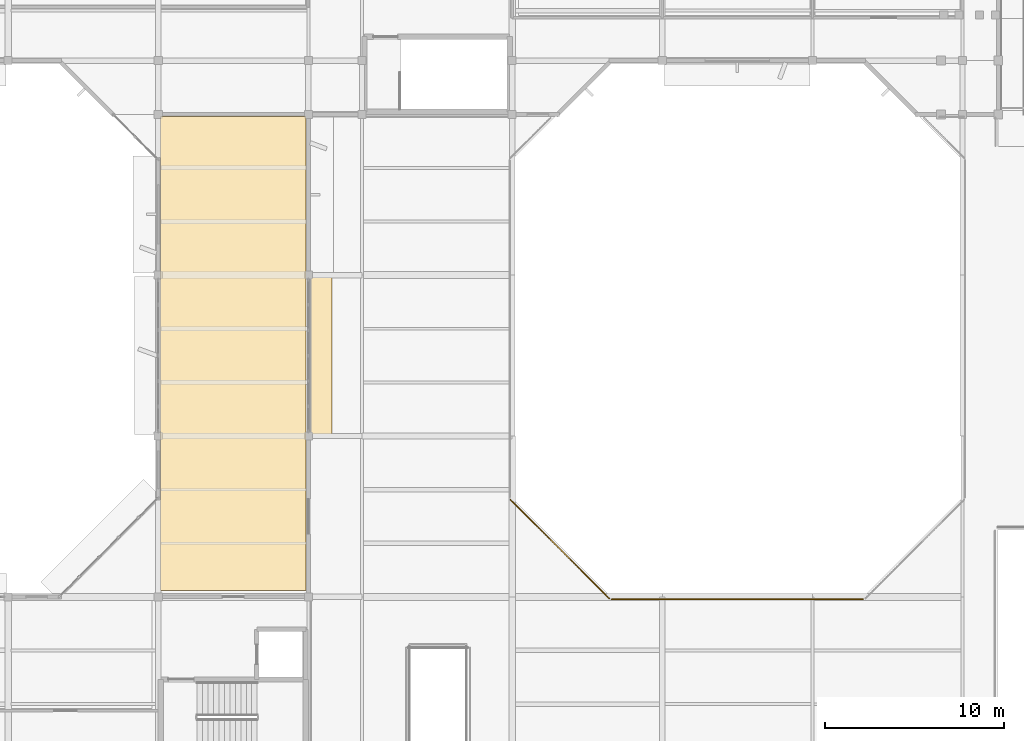
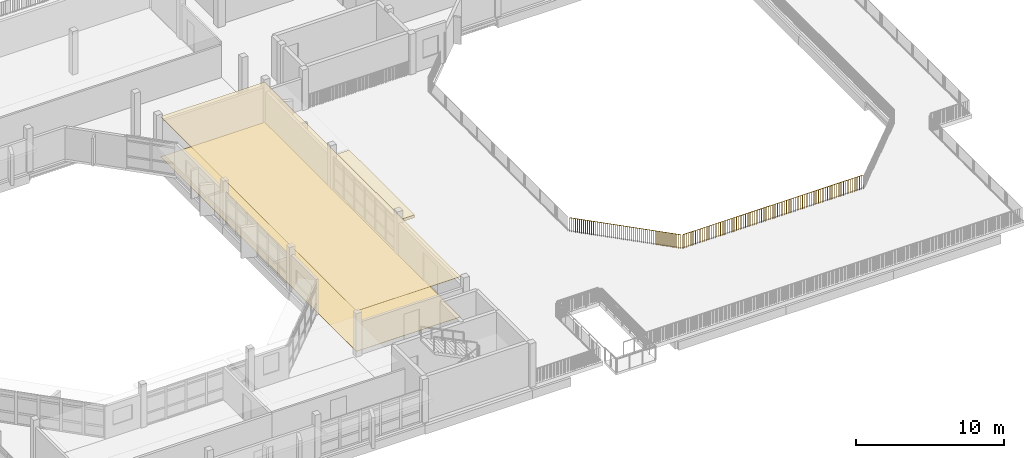
# One storey, part 32 of 42: 3 coverings, 2 railings.
"""IFC4 building model written with IfcOpenShell, lengths in metres."""

from ifc_helpers import new_model, si_unit, direction, frame, origin, origin_2d, place, context, subcontext, project, spatial, polyline, rectangle, circle, outline, extrude, material, layer, layer_set, type_object, element, save


model = new_model("IFC4")

# Units and contexts
model_context = context("Model", 3, precision=1e-05, world=origin(), true_north=direction((0.0, 1.0)))
body_context = subcontext(model_context, "Body", "Model", "MODEL_VIEW")
ifc_project = project(units=[si_unit("LENGTHUNIT", "METRE"), si_unit("AREAUNIT", "SQUARE_METRE"), si_unit("VOLUMEUNIT", "CUBIC_METRE"), si_unit("PLANEANGLEUNIT", "RADIAN"), si_unit("MASSUNIT", "GRAM", prefix="KILO")], contexts=[model_context])

# Site, building, storey
site_placement = place(None, origin())
site = spatial("IfcSite", under=ifc_project, at=site_placement, CompositionType="ELEMENT")
building_placement = place(site_placement, origin())
building = spatial("IfcBuilding", under=site, at=building_placement, Name="Vanh Quang Courtyard School", CompositionType="ELEMENT")
storey_placement = place(building_placement, frame((0.0, 0.0, 15.0)))
storey = spatial("IfcBuildingStorey", under=building, at=storey_placement, Name="L04", CompositionType="ELEMENT", Elevation=15.0)

# Coverings
ifc_material_1 = material(Name="Perforated mineral-fibre acoustic ceiling board")
ifc_layer_1 = layer(ifc_material_1, 0.02490234375)
ifc_layer_set_1 = layer_set([ifc_layer_1], Name="Perforated mineral-fibre acoustic ceiling board")
covering_type_1 = type_object("IfcCoveringType", Name="COV-CEIL-ACOUSTIC", PredefinedType="CEILING", material=ifc_layer_set_1)
covering_1_placement = place(storey_placement, frame((0.0, 0.0, 3.324951171875)))
element("IfcCovering", 1, at=covering_1_placement, inside=storey, type_object=covering_type_1, Name="Covering CV-CL1 (L04)", PredefinedType="CEILING", context=body_context, shape_type="SweptSolid", body=[
    extrude(outline(polyline([(66.1298828125, 68.260009765625), (66.1298828125, 68.260986328125), (66.130126953125, 68.261962890625), (66.13037109375, 68.262939453125), (66.130859375, 68.263916015625), (66.131103515625, 68.2646484375), (66.131591796875, 68.265625), (66.13232421875, 68.266357421875), (66.1328125, 68.26708984375), (66.1337890625, 68.267578125), (66.134521484375, 68.268310546875), (66.13525390625, 68.268798828125), (66.13623046875, 68.269287109375), (66.13720703125, 68.26953125), (66.137939453125, 68.269775390625), (66.138916015625, 68.27001953125), (66.139892578125, 68.27001953125), (74.260009765625, 68.27001953125), (74.260986328125, 68.27001953125), (74.261962890625, 68.269775390625), (74.262939453125, 68.26953125), (74.263916015625, 68.269287109375), (74.2646484375, 68.268798828125), (74.265625, 68.268310546875), (74.266357421875, 68.267578125), (74.26708984375, 68.26708984375), (74.267578125, 68.266357421875), (74.268310546875, 68.265625), (74.268798828125, 68.2646484375), (74.269287109375, 68.263916015625), (74.26953125, 68.262939453125), (74.269775390625, 68.261962890625), (74.27001953125, 68.260986328125), (74.27001953125, 68.260009765625), (74.27001953125, 41.75), (66.1298828125, 41.75), (66.1298828125, 68.260009765625)])), origin(), (0.0, 0.0, 1.0), 0.025146484375),
])
ifc_material_2 = material(Name="Polished cementitious terrazzo tile", Category="concrete")
ifc_layer_2 = layer(ifc_material_2, 0.02001953125)
ifc_layer_set_2 = layer_set([ifc_layer_2], Name="Polished cementitious terrazzo tile")
covering_type_2 = type_object("IfcCoveringType", Name="COV-FLR-TERRAZZO", PredefinedType="FLOORING", material=ifc_layer_set_2)
covering_2_placement = place(storey_placement, origin())
element("IfcCovering", 2, at=covering_2_placement, inside=storey, type_object=covering_type_2, Name="Covering CV-FL1 (L04)", PredefinedType="FLOORING", context=body_context, shape_type="SweptSolid", body=[
    extrude(outline(polyline([(66.1298828125, 68.260009765625), (66.1298828125, 68.260986328125), (66.130126953125, 68.261962890625), (66.13037109375, 68.262939453125), (66.130859375, 68.263916015625), (66.131103515625, 68.2646484375), (66.131591796875, 68.265625), (66.13232421875, 68.266357421875), (66.1328125, 68.26708984375), (66.1337890625, 68.267578125), (66.134521484375, 68.268310546875), (66.13525390625, 68.268798828125), (66.13623046875, 68.269287109375), (66.13720703125, 68.26953125), (66.137939453125, 68.269775390625), (66.138916015625, 68.27001953125), (66.139892578125, 68.27001953125), (74.260009765625, 68.27001953125), (74.260986328125, 68.27001953125), (74.261962890625, 68.269775390625), (74.262939453125, 68.26953125), (74.263916015625, 68.269287109375), (74.2646484375, 68.268798828125), (74.265625, 68.268310546875), (74.266357421875, 68.267578125), (74.26708984375, 68.26708984375), (74.267578125, 68.266357421875), (74.268310546875, 68.265625), (74.268798828125, 68.2646484375), (74.269287109375, 68.263916015625), (74.26953125, 68.262939453125), (74.269775390625, 68.261962890625), (74.27001953125, 68.260986328125), (74.27001953125, 68.260009765625), (74.27001953125, 41.75), (66.1298828125, 41.75), (66.1298828125, 68.260009765625)])), origin(), (0.0, 0.0, 1.0), 0.02001953125),
])
ifc_material_3 = material(Name="Board-marked precast concrete C40/50", Category="concrete")
ifc_layer_3 = layer(ifc_material_3, 0.239990234375)
ifc_layer_set_3 = layer_set([ifc_layer_3], Name="Board-marked precast concrete C40/50")
covering_type_3 = type_object("IfcCoveringType", Name="COV-HOOD-CONC", PredefinedType="CLADDING", material=ifc_layer_set_3)
covering_3_placement = place(storey_placement, frame((75.02001953125, 54.89990234375, 2.41015625), z_axis=(0.0, 0.0, 1.0), x_axis=(0.0, -1.0, 0.0)))
element("IfcCovering", 3, at=covering_3_placement, inside=storey, type_object=covering_type_3, Name="Covering CH-01 (L04)", PredefinedType="CLADDING", context=body_context, shape_type="SweptSolid", body=[
    extrude(rectangle(XDim=8.833984375, YDim=1.39990234375, at=origin_2d()), origin(), (0.0, 0.0, 1.0), 0.239990234375),
])

# Railings
ifc_material_4 = material(Name="Galvanised painted steel EN 10025-2 S355J2", Category="steel")
railing_type = type_object("IfcRailingType", Name="RAIL-GUARD-1150", PredefinedType="BALUSTRADE", material=ifc_material_4)
railing_1_placement = place(storey_placement, frame((85.715576171875, 46.830322265625, 0.0)))
element("IfcRailing", 4, at=railing_1_placement, inside=storey, type_object=railing_type, Name="Railing GR-01 (L04)", PredefinedType="BALUSTRADE", context=body_context, shape_type="SweptSolid", body=[
    extrude(circle(Radius=0.02392578125, at=origin_2d()), frame((0.0, 0.0, 1.1259765625), z_axis=(0.707122432933, -0.707091129094, 0.0), x_axis=(0.707091129094, 0.707122432933, 0.0)), (0.0, 0.0, 1.0), 7.799072265625),
    extrude(circle(Radius=0.02099609375, at=origin_2d()), origin(), (0.0, 0.0, 1.0), 1.101806640625),
    extrude(circle(Radius=0.02099609375, at=origin_2d()), frame((0.098388671875, -0.098388671875, 0.0)), (0.0, 0.0, 1.0), 1.101806640625),
    extrude(circle(Radius=0.02099609375, at=origin_2d()), frame((0.197021484375, -0.197021484375, 0.0)), (0.0, 0.0, 1.0), 1.101806640625),
    extrude(circle(Radius=0.02099609375, at=origin_2d()), frame((0.29541015625, -0.29541015625, 0.0)), (0.0, 0.0, 1.0), 1.101806640625),
    extrude(circle(Radius=0.02099609375, at=origin_2d()), frame((0.39404296875, -0.393798828125, 0.0)), (0.0, 0.0, 1.0), 1.101806640625),
    extrude(circle(Radius=0.02099609375, at=origin_2d()), frame((0.492431640625, -0.492431640625, 0.0)), (0.0, 0.0, 1.0), 1.101806640625),
    extrude(circle(Radius=0.02099609375, at=origin_2d()), frame((0.5908203125, -0.5908203125, 0.0)), (0.0, 0.0, 1.0), 1.101806640625),
    extrude(circle(Radius=0.02099609375, at=origin_2d()), frame((0.689453125, -0.689453125, 0.0)), (0.0, 0.0, 1.0), 1.101806640625),
    extrude(circle(Radius=0.02099609375, at=origin_2d()), frame((0.787841796875, -0.787841796875, 0.0)), (0.0, 0.0, 1.0), 1.101806640625),
    extrude(circle(Radius=0.02099609375, at=origin_2d()), frame((0.88623046875, -0.88623046875, 0.0)), (0.0, 0.0, 1.0), 1.101806640625),
    extrude(circle(Radius=0.02099609375, at=origin_2d()), frame((0.98486328125, -0.98486328125, 0.0)), (0.0, 0.0, 1.0), 1.101806640625),
    extrude(circle(Radius=0.02099609375, at=origin_2d()), frame((1.083251953125, -1.083251953125, 0.0)), (0.0, 0.0, 1.0), 1.101806640625),
    extrude(circle(Radius=0.02099609375, at=origin_2d()), frame((1.181640625, -1.181640625, 0.0)), (0.0, 0.0, 1.0), 1.101806640625),
    extrude(circle(Radius=0.02099609375, at=origin_2d()), frame((1.2802734375, -1.2802734375, 0.0)), (0.0, 0.0, 1.0), 1.101806640625),
    extrude(circle(Radius=0.02099609375, at=origin_2d()), frame((1.378662109375, -1.378662109375, 0.0)), (0.0, 0.0, 1.0), 1.101806640625),
    extrude(circle(Radius=0.02099609375, at=origin_2d()), frame((1.477294921875, -1.47705078125, 0.0)), (0.0, 0.0, 1.0), 1.101806640625),
    extrude(circle(Radius=0.02099609375, at=origin_2d()), frame((1.57568359375, -1.57568359375, 0.0)), (0.0, 0.0, 1.0), 1.101806640625),
    extrude(circle(Radius=0.02099609375, at=origin_2d()), frame((1.674072265625, -1.674072265625, 0.0)), (0.0, 0.0, 1.0), 1.101806640625),
    extrude(circle(Radius=0.02099609375, at=origin_2d()), frame((1.772705078125, -1.7724609375, 0.0)), (0.0, 0.0, 1.0), 1.101806640625),
    extrude(circle(Radius=0.02099609375, at=origin_2d()), frame((1.87109375, -1.87109375, 0.0)), (0.0, 0.0, 1.0), 1.101806640625),
    extrude(circle(Radius=0.02099609375, at=origin_2d()), frame((1.9697265625, -1.969482421875, 0.0)), (0.0, 0.0, 1.0), 1.101806640625),
    extrude(circle(Radius=0.02099609375, at=origin_2d()), frame((2.068115234375, -2.06787109375, 0.0)), (0.0, 0.0, 1.0), 1.101806640625),
    extrude(circle(Radius=0.02099609375, at=origin_2d()), frame((2.16650390625, -2.16650390625, 0.0)), (0.0, 0.0, 1.0), 1.101806640625),
    extrude(circle(Radius=0.02099609375, at=origin_2d()), frame((2.26513671875, -2.264892578125, 0.0)), (0.0, 0.0, 1.0), 1.101806640625),
    extrude(circle(Radius=0.02099609375, at=origin_2d()), frame((2.363525390625, -2.363525390625, 0.0)), (0.0, 0.0, 1.0), 1.101806640625),
    extrude(circle(Radius=0.02099609375, at=origin_2d()), frame((2.4619140625, -2.4619140625, 0.0)), (0.0, 0.0, 1.0), 1.101806640625),
    extrude(circle(Radius=0.02099609375, at=origin_2d()), frame((2.560546875, -2.560302734375, 0.0)), (0.0, 0.0, 1.0), 1.101806640625),
    extrude(circle(Radius=0.02099609375, at=origin_2d()), frame((2.658935546875, -2.658935546875, 0.0)), (0.0, 0.0, 1.0), 1.101806640625),
    extrude(circle(Radius=0.02099609375, at=origin_2d()), frame((2.75732421875, -2.75732421875, 0.0)), (0.0, 0.0, 1.0), 1.101806640625),
    extrude(circle(Radius=0.02099609375, at=origin_2d()), frame((2.85595703125, -2.855712890625, 0.0)), (0.0, 0.0, 1.0), 1.101806640625),
    extrude(circle(Radius=0.02099609375, at=origin_2d()), frame((2.954345703125, -2.954345703125, 0.0)), (0.0, 0.0, 1.0), 1.101806640625),
    extrude(circle(Radius=0.02099609375, at=origin_2d()), frame((3.052978515625, -3.052734375, 0.0)), (0.0, 0.0, 1.0), 1.101806640625),
    extrude(circle(Radius=0.02099609375, at=origin_2d()), frame((3.1513671875, -3.151123046875, 0.0)), (0.0, 0.0, 1.0), 1.101806640625),
    extrude(circle(Radius=0.02099609375, at=origin_2d()), frame((3.249755859375, -3.249755859375, 0.0)), (0.0, 0.0, 1.0), 1.101806640625),
    extrude(circle(Radius=0.02099609375, at=origin_2d()), frame((3.348388671875, -3.34814453125, 0.0)), (0.0, 0.0, 1.0), 1.101806640625),
    extrude(circle(Radius=0.02099609375, at=origin_2d()), frame((3.44677734375, -3.44677734375, 0.0)), (0.0, 0.0, 1.0), 1.101806640625),
    extrude(circle(Radius=0.02099609375, at=origin_2d()), frame((3.54541015625, -3.545166015625, 0.0)), (0.0, 0.0, 1.0), 1.101806640625),
    extrude(circle(Radius=0.02099609375, at=origin_2d()), frame((3.643798828125, -3.6435546875, 0.0)), (0.0, 0.0, 1.0), 1.101806640625),
    extrude(circle(Radius=0.02099609375, at=origin_2d()), frame((3.7421875, -3.7421875, 0.0)), (0.0, 0.0, 1.0), 1.101806640625),
    extrude(circle(Radius=0.02099609375, at=origin_2d()), frame((3.8408203125, -3.840576171875, 0.0)), (0.0, 0.0, 1.0), 1.101806640625),
    extrude(circle(Radius=0.02099609375, at=origin_2d()), frame((3.939208984375, -3.93896484375, 0.0)), (0.0, 0.0, 1.0), 1.101806640625),
    extrude(circle(Radius=0.02099609375, at=origin_2d()), frame((4.03759765625, -4.03759765625, 0.0)), (0.0, 0.0, 1.0), 1.101806640625),
    extrude(circle(Radius=0.02099609375, at=origin_2d()), frame((4.13623046875, -4.135986328125, 0.0)), (0.0, 0.0, 1.0), 1.101806640625),
    extrude(circle(Radius=0.02099609375, at=origin_2d()), frame((4.234619140625, -4.234375, 0.0)), (0.0, 0.0, 1.0), 1.101806640625),
    extrude(circle(Radius=0.02099609375, at=origin_2d()), frame((4.3330078125, -4.3330078125, 0.0)), (0.0, 0.0, 1.0), 1.101806640625),
    extrude(circle(Radius=0.02099609375, at=origin_2d()), frame((4.431640625, -4.431396484375, 0.0)), (0.0, 0.0, 1.0), 1.101806640625),
    extrude(circle(Radius=0.02099609375, at=origin_2d()), frame((4.530029296875, -4.52978515625, 0.0)), (0.0, 0.0, 1.0), 1.101806640625),
    extrude(circle(Radius=0.02099609375, at=origin_2d()), frame((4.628662109375, -4.62841796875, 0.0)), (0.0, 0.0, 1.0), 1.101806640625),
    extrude(circle(Radius=0.02099609375, at=origin_2d()), frame((4.72705078125, -4.726806640625, 0.0)), (0.0, 0.0, 1.0), 1.101806640625),
    extrude(circle(Radius=0.02099609375, at=origin_2d()), frame((4.825439453125, -4.8251953125, 0.0)), (0.0, 0.0, 1.0), 1.101806640625),
    extrude(circle(Radius=0.02099609375, at=origin_2d()), frame((4.924072265625, -4.923828125, 0.0)), (0.0, 0.0, 1.0), 1.101806640625),
    extrude(circle(Radius=0.02099609375, at=origin_2d()), frame((5.0224609375, -5.022216796875, 0.0)), (0.0, 0.0, 1.0), 1.101806640625),
    extrude(circle(Radius=0.02099609375, at=origin_2d()), frame((5.12109375, -5.120849609375, 0.0)), (0.0, 0.0, 1.0), 1.101806640625),
    extrude(circle(Radius=0.02099609375, at=origin_2d()), frame((5.219482421875, -5.21923828125, 0.0)), (0.0, 0.0, 1.0), 1.101806640625),
    extrude(circle(Radius=0.02099609375, at=origin_2d()), frame((5.31787109375, -5.317626953125, 0.0)), (0.0, 0.0, 1.0), 1.101806640625),
    extrude(circle(Radius=0.02099609375, at=origin_2d()), frame((5.41650390625, -5.416259765625, 0.0)), (0.0, 0.0, 1.0), 1.101806640625),
    extrude(circle(Radius=0.02099609375, at=origin_2d()), frame((5.514892578125, -5.5146484375, 0.0)), (0.0, 0.0, 1.0), 1.101806640625),
])
railing_2_placement = place(storey_placement, frame((91.36474609375, 41.260009765625, 0.0)))
element("IfcRailing", 5, at=railing_2_placement, inside=storey, type_object=railing_type, Name="Railing GR-01 (L04)", PredefinedType="BALUSTRADE", context=body_context, shape_type="SweptSolid", body=[
    extrude(circle(Radius=0.02392578125, at=origin_2d()), frame((0.0, 0.0, 1.1259765625), z_axis=(1.0, 0.0, 0.0), x_axis=(0.0, 1.0, 0.0)), (0.0, 0.0, 1.0), 14.070556640625),
    extrude(circle(Radius=0.02099609375, at=origin_2d()), origin(), (0.0, 0.0, 1.0), 1.101806640625),
    extrude(circle(Radius=0.02099609375, at=origin_2d()), frame((0.139404296875, 0.0, 0.0)), (0.0, 0.0, 1.0), 1.101806640625),
    extrude(circle(Radius=0.02099609375, at=origin_2d()), frame((0.278564453125, 0.0, 0.0)), (0.0, 0.0, 1.0), 1.101806640625),
    extrude(circle(Radius=0.02099609375, at=origin_2d()), frame((0.41796875, 0.0, 0.0)), (0.0, 0.0, 1.0), 1.101806640625),
    extrude(circle(Radius=0.02099609375, at=origin_2d()), frame((0.55712890625, 0.0, 0.0)), (0.0, 0.0, 1.0), 1.101806640625),
    extrude(circle(Radius=0.02099609375, at=origin_2d()), frame((0.696533203125, 0.0, 0.0)), (0.0, 0.0, 1.0), 1.101806640625),
    extrude(circle(Radius=0.02099609375, at=origin_2d()), frame((0.8359375, 0.0, 0.0)), (0.0, 0.0, 1.0), 1.101806640625),
    extrude(circle(Radius=0.02099609375, at=origin_2d()), frame((0.97509765625, 0.0, 0.0)), (0.0, 0.0, 1.0), 1.101806640625),
    extrude(circle(Radius=0.02099609375, at=origin_2d()), frame((1.114501953125, 0.0, 0.0)), (0.0, 0.0, 1.0), 1.101806640625),
    extrude(circle(Radius=0.02099609375, at=origin_2d()), frame((1.25390625, 0.0, 0.0)), (0.0, 0.0, 1.0), 1.101806640625),
    extrude(circle(Radius=0.02099609375, at=origin_2d()), frame((1.39306640625, 0.0, 0.0)), (0.0, 0.0, 1.0), 1.101806640625),
    extrude(circle(Radius=0.02099609375, at=origin_2d()), frame((1.532470703125, 0.0, 0.0)), (0.0, 0.0, 1.0), 1.101806640625),
    extrude(circle(Radius=0.02099609375, at=origin_2d()), frame((1.671630859375, 0.0, 0.0)), (0.0, 0.0, 1.0), 1.101806640625),
    extrude(circle(Radius=0.02099609375, at=origin_2d()), frame((1.81103515625, 0.0, 0.0)), (0.0, 0.0, 1.0), 1.101806640625),
    extrude(circle(Radius=0.02099609375, at=origin_2d()), frame((1.950439453125, 0.0, 0.0)), (0.0, 0.0, 1.0), 1.101806640625),
    extrude(circle(Radius=0.02099609375, at=origin_2d()), frame((2.089599609375, 0.0, 0.0)), (0.0, 0.0, 1.0), 1.101806640625),
    extrude(circle(Radius=0.02099609375, at=origin_2d()), frame((2.22900390625, 0.0, 0.0)), (0.0, 0.0, 1.0), 1.101806640625),
    extrude(circle(Radius=0.02099609375, at=origin_2d()), frame((2.368408203125, 0.0, 0.0)), (0.0, 0.0, 1.0), 1.101806640625),
    extrude(circle(Radius=0.02099609375, at=origin_2d()), frame((2.507568359375, 0.0, 0.0)), (0.0, 0.0, 1.0), 1.101806640625),
    extrude(circle(Radius=0.02099609375, at=origin_2d()), frame((2.64697265625, 0.0, 0.0)), (0.0, 0.0, 1.0), 1.101806640625),
    extrude(circle(Radius=0.02099609375, at=origin_2d()), frame((2.7861328125, 0.0, 0.0)), (0.0, 0.0, 1.0), 1.101806640625),
    extrude(circle(Radius=0.02099609375, at=origin_2d()), frame((2.925537109375, 0.0, 0.0)), (0.0, 0.0, 1.0), 1.101806640625),
    extrude(circle(Radius=0.02099609375, at=origin_2d()), frame((3.06494140625, 0.0, 0.0)), (0.0, 0.0, 1.0), 1.101806640625),
    extrude(circle(Radius=0.02099609375, at=origin_2d()), frame((3.2041015625, 0.0, 0.0)), (0.0, 0.0, 1.0), 1.101806640625),
    extrude(circle(Radius=0.02099609375, at=origin_2d()), frame((3.343505859375, 0.0, 0.0)), (0.0, 0.0, 1.0), 1.101806640625),
    extrude(circle(Radius=0.02099609375, at=origin_2d()), frame((3.48291015625, 0.0, 0.0)), (0.0, 0.0, 1.0), 1.101806640625),
    extrude(circle(Radius=0.02099609375, at=origin_2d()), frame((3.6220703125, 0.0, 0.0)), (0.0, 0.0, 1.0), 1.101806640625),
    extrude(circle(Radius=0.02099609375, at=origin_2d()), frame((3.761474609375, 0.0, 0.0)), (0.0, 0.0, 1.0), 1.101806640625),
    extrude(circle(Radius=0.02099609375, at=origin_2d()), frame((3.900634765625, 0.0, 0.0)), (0.0, 0.0, 1.0), 1.101806640625),
    extrude(circle(Radius=0.02099609375, at=origin_2d()), frame((4.0400390625, 0.0, 0.0)), (0.0, 0.0, 1.0), 1.101806640625),
    extrude(circle(Radius=0.02099609375, at=origin_2d()), frame((4.179443359375, 0.0, 0.0)), (0.0, 0.0, 1.0), 1.101806640625),
    extrude(circle(Radius=0.02099609375, at=origin_2d()), frame((4.318603515625, 0.0, 0.0)), (0.0, 0.0, 1.0), 1.101806640625),
    extrude(circle(Radius=0.02099609375, at=origin_2d()), frame((4.4580078125, 0.0, 0.0)), (0.0, 0.0, 1.0), 1.101806640625),
    extrude(circle(Radius=0.02099609375, at=origin_2d()), frame((4.597412109375, 0.0, 0.0)), (0.0, 0.0, 1.0), 1.101806640625),
    extrude(circle(Radius=0.02099609375, at=origin_2d()), frame((4.736572265625, 0.0, 0.0)), (0.0, 0.0, 1.0), 1.101806640625),
    extrude(circle(Radius=0.02099609375, at=origin_2d()), frame((4.8759765625, 0.0, 0.0)), (0.0, 0.0, 1.0), 1.101806640625),
    extrude(circle(Radius=0.02099609375, at=origin_2d()), frame((5.01513671875, 0.0, 0.0)), (0.0, 0.0, 1.0), 1.101806640625),
    extrude(circle(Radius=0.02099609375, at=origin_2d()), frame((5.154541015625, 0.0, 0.0)), (0.0, 0.0, 1.0), 1.101806640625),
    extrude(circle(Radius=0.02099609375, at=origin_2d()), frame((5.2939453125, 0.0, 0.0)), (0.0, 0.0, 1.0), 1.101806640625),
    extrude(circle(Radius=0.02099609375, at=origin_2d()), frame((5.43310546875, 0.0, 0.0)), (0.0, 0.0, 1.0), 1.101806640625),
    extrude(circle(Radius=0.02099609375, at=origin_2d()), frame((5.572509765625, 0.0, 0.0)), (0.0, 0.0, 1.0), 1.101806640625),
    extrude(circle(Radius=0.02099609375, at=origin_2d()), frame((5.7119140625, 0.0, 0.0)), (0.0, 0.0, 1.0), 1.101806640625),
    extrude(circle(Radius=0.02099609375, at=origin_2d()), frame((5.85107421875, 0.0, 0.0)), (0.0, 0.0, 1.0), 1.101806640625),
    extrude(circle(Radius=0.02099609375, at=origin_2d()), frame((5.990478515625, 0.0, 0.0)), (0.0, 0.0, 1.0), 1.101806640625),
    extrude(circle(Radius=0.02099609375, at=origin_2d()), frame((6.129638671875, 0.0, 0.0)), (0.0, 0.0, 1.0), 1.101806640625),
    extrude(circle(Radius=0.02099609375, at=origin_2d()), frame((6.26904296875, 0.0, 0.0)), (0.0, 0.0, 1.0), 1.101806640625),
    extrude(circle(Radius=0.02099609375, at=origin_2d()), frame((6.408447265625, 0.0, 0.0)), (0.0, 0.0, 1.0), 1.101806640625),
    extrude(circle(Radius=0.02099609375, at=origin_2d()), frame((6.547607421875, 0.0, 0.0)), (0.0, 0.0, 1.0), 1.101806640625),
    extrude(circle(Radius=0.02099609375, at=origin_2d()), frame((6.68701171875, 0.0, 0.0)), (0.0, 0.0, 1.0), 1.101806640625),
    extrude(circle(Radius=0.02099609375, at=origin_2d()), frame((6.826416015625, 0.0, 0.0)), (0.0, 0.0, 1.0), 1.101806640625),
    extrude(circle(Radius=0.02099609375, at=origin_2d()), frame((6.965576171875, 0.0, 0.0)), (0.0, 0.0, 1.0), 1.101806640625),
    extrude(circle(Radius=0.02099609375, at=origin_2d()), frame((7.10498046875, 0.0, 0.0)), (0.0, 0.0, 1.0), 1.101806640625),
    extrude(circle(Radius=0.02099609375, at=origin_2d()), frame((7.244140625, 0.0, 0.0)), (0.0, 0.0, 1.0), 1.101806640625),
    extrude(circle(Radius=0.02099609375, at=origin_2d()), frame((7.383544921875, 0.0, 0.0)), (0.0, 0.0, 1.0), 1.101806640625),
    extrude(circle(Radius=0.02099609375, at=origin_2d()), frame((7.52294921875, 0.0, 0.0)), (0.0, 0.0, 1.0), 1.101806640625),
    extrude(circle(Radius=0.02099609375, at=origin_2d()), frame((7.662109375, 0.0, 0.0)), (0.0, 0.0, 1.0), 1.101806640625),
    extrude(circle(Radius=0.02099609375, at=origin_2d()), frame((7.801513671875, 0.0, 0.0)), (0.0, 0.0, 1.0), 1.101806640625),
    extrude(circle(Radius=0.02099609375, at=origin_2d()), frame((7.94091796875, 0.0, 0.0)), (0.0, 0.0, 1.0), 1.101806640625),
    extrude(circle(Radius=0.02099609375, at=origin_2d()), frame((8.080078125, 0.0, 0.0)), (0.0, 0.0, 1.0), 1.101806640625),
    extrude(circle(Radius=0.02099609375, at=origin_2d()), frame((8.219482421875, 0.0, 0.0)), (0.0, 0.0, 1.0), 1.101806640625),
    extrude(circle(Radius=0.02099609375, at=origin_2d()), frame((8.358642578125, 0.0, 0.0)), (0.0, 0.0, 1.0), 1.101806640625),
    extrude(circle(Radius=0.02099609375, at=origin_2d()), frame((8.498046875, 0.0, 0.0)), (0.0, 0.0, 1.0), 1.101806640625),
    extrude(circle(Radius=0.02099609375, at=origin_2d()), frame((8.637451171875, 0.0, 0.0)), (0.0, 0.0, 1.0), 1.101806640625),
    extrude(circle(Radius=0.02099609375, at=origin_2d()), frame((8.776611328125, 0.0, 0.0)), (0.0, 0.0, 1.0), 1.101806640625),
    extrude(circle(Radius=0.02099609375, at=origin_2d()), frame((8.916015625, 0.0, 0.0)), (0.0, 0.0, 1.0), 1.101806640625),
    extrude(circle(Radius=0.02099609375, at=origin_2d()), frame((9.055419921875, 0.0, 0.0)), (0.0, 0.0, 1.0), 1.101806640625),
    extrude(circle(Radius=0.02099609375, at=origin_2d()), frame((9.194580078125, 0.0, 0.0)), (0.0, 0.0, 1.0), 1.101806640625),
    extrude(circle(Radius=0.02099609375, at=origin_2d()), frame((9.333984375, 0.0, 0.0)), (0.0, 0.0, 1.0), 1.101806640625),
    extrude(circle(Radius=0.02099609375, at=origin_2d()), frame((9.47314453125, 0.0, 0.0)), (0.0, 0.0, 1.0), 1.101806640625),
    extrude(circle(Radius=0.02099609375, at=origin_2d()), frame((9.612548828125, 0.0, 0.0)), (0.0, 0.0, 1.0), 1.101806640625),
    extrude(circle(Radius=0.02099609375, at=origin_2d()), frame((9.751953125, 0.0, 0.0)), (0.0, 0.0, 1.0), 1.101806640625),
    extrude(circle(Radius=0.02099609375, at=origin_2d()), frame((9.89111328125, 0.0, 0.0)), (0.0, 0.0, 1.0), 1.101806640625),
    extrude(circle(Radius=0.02099609375, at=origin_2d()), frame((10.030517578125, 0.0, 0.0)), (0.0, 0.0, 1.0), 1.101806640625),
    extrude(circle(Radius=0.02099609375, at=origin_2d()), frame((10.169921875, 0.0, 0.0)), (0.0, 0.0, 1.0), 1.101806640625),
    extrude(circle(Radius=0.02099609375, at=origin_2d()), frame((10.30908203125, 0.0, 0.0)), (0.0, 0.0, 1.0), 1.101806640625),
    extrude(circle(Radius=0.02099609375, at=origin_2d()), frame((10.448486328125, 0.0, 0.0)), (0.0, 0.0, 1.0), 1.101806640625),
    extrude(circle(Radius=0.02099609375, at=origin_2d()), frame((10.587646484375, 0.0, 0.0)), (0.0, 0.0, 1.0), 1.101806640625),
    extrude(circle(Radius=0.02099609375, at=origin_2d()), frame((10.72705078125, 0.0, 0.0)), (0.0, 0.0, 1.0), 1.101806640625),
    extrude(circle(Radius=0.02099609375, at=origin_2d()), frame((10.866455078125, 0.0, 0.0)), (0.0, 0.0, 1.0), 1.101806640625),
    extrude(circle(Radius=0.02099609375, at=origin_2d()), frame((11.005615234375, 0.0, 0.0)), (0.0, 0.0, 1.0), 1.101806640625),
    extrude(circle(Radius=0.02099609375, at=origin_2d()), frame((11.14501953125, 0.0, 0.0)), (0.0, 0.0, 1.0), 1.101806640625),
    extrude(circle(Radius=0.02099609375, at=origin_2d()), frame((11.284423828125, 0.0, 0.0)), (0.0, 0.0, 1.0), 1.101806640625),
    extrude(circle(Radius=0.02099609375, at=origin_2d()), frame((11.423583984375, 0.0, 0.0)), (0.0, 0.0, 1.0), 1.101806640625),
    extrude(circle(Radius=0.02099609375, at=origin_2d()), frame((11.56298828125, 0.0, 0.0)), (0.0, 0.0, 1.0), 1.101806640625),
    extrude(circle(Radius=0.02099609375, at=origin_2d()), frame((11.7021484375, 0.0, 0.0)), (0.0, 0.0, 1.0), 1.101806640625),
    extrude(circle(Radius=0.02099609375, at=origin_2d()), frame((11.841552734375, 0.0, 0.0)), (0.0, 0.0, 1.0), 1.101806640625),
    extrude(circle(Radius=0.02099609375, at=origin_2d()), frame((11.98095703125, 0.0, 0.0)), (0.0, 0.0, 1.0), 1.101806640625),
    extrude(circle(Radius=0.02099609375, at=origin_2d()), frame((12.1201171875, 0.0, 0.0)), (0.0, 0.0, 1.0), 1.101806640625),
    extrude(circle(Radius=0.02099609375, at=origin_2d()), frame((12.259521484375, 0.0, 0.0)), (0.0, 0.0, 1.0), 1.101806640625),
    extrude(circle(Radius=0.02099609375, at=origin_2d()), frame((12.39892578125, 0.0, 0.0)), (0.0, 0.0, 1.0), 1.101806640625),
    extrude(circle(Radius=0.02099609375, at=origin_2d()), frame((12.5380859375, 0.0, 0.0)), (0.0, 0.0, 1.0), 1.101806640625),
    extrude(circle(Radius=0.02099609375, at=origin_2d()), frame((12.677490234375, 0.0, 0.0)), (0.0, 0.0, 1.0), 1.101806640625),
    extrude(circle(Radius=0.02099609375, at=origin_2d()), frame((12.816650390625, 0.0, 0.0)), (0.0, 0.0, 1.0), 1.101806640625),
    extrude(circle(Radius=0.02099609375, at=origin_2d()), frame((12.9560546875, 0.0, 0.0)), (0.0, 0.0, 1.0), 1.101806640625),
    extrude(circle(Radius=0.02099609375, at=origin_2d()), frame((13.095458984375, 0.0, 0.0)), (0.0, 0.0, 1.0), 1.101806640625),
    extrude(circle(Radius=0.02099609375, at=origin_2d()), frame((13.234619140625, 0.0, 0.0)), (0.0, 0.0, 1.0), 1.101806640625),
    extrude(circle(Radius=0.02099609375, at=origin_2d()), frame((13.3740234375, 0.0, 0.0)), (0.0, 0.0, 1.0), 1.101806640625),
    extrude(circle(Radius=0.02099609375, at=origin_2d()), frame((13.513427734375, 0.0, 0.0)), (0.0, 0.0, 1.0), 1.101806640625),
    extrude(circle(Radius=0.02099609375, at=origin_2d()), frame((13.652587890625, 0.0, 0.0)), (0.0, 0.0, 1.0), 1.101806640625),
    extrude(circle(Radius=0.02099609375, at=origin_2d()), frame((13.7919921875, 0.0, 0.0)), (0.0, 0.0, 1.0), 1.101806640625),
    extrude(circle(Radius=0.02099609375, at=origin_2d()), frame((13.93115234375, 0.0, 0.0)), (0.0, 0.0, 1.0), 1.101806640625),
    extrude(circle(Radius=0.02099609375, at=origin_2d()), frame((14.070556640625, 0.0, 0.0)), (0.0, 0.0, 1.0), 1.101806640625),
])

save(model, "model.ifc")
